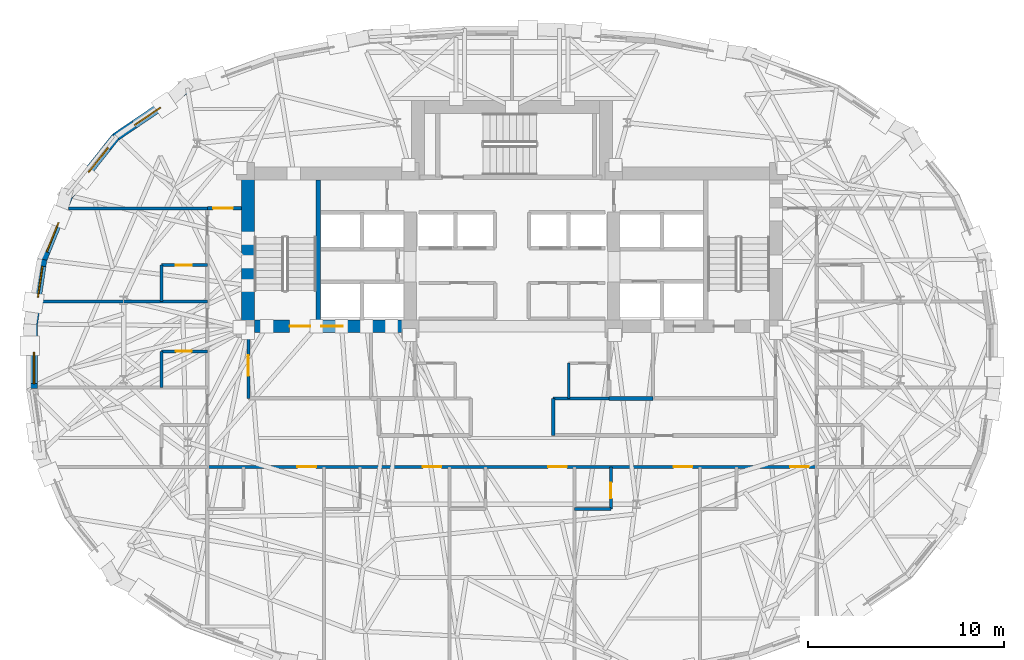
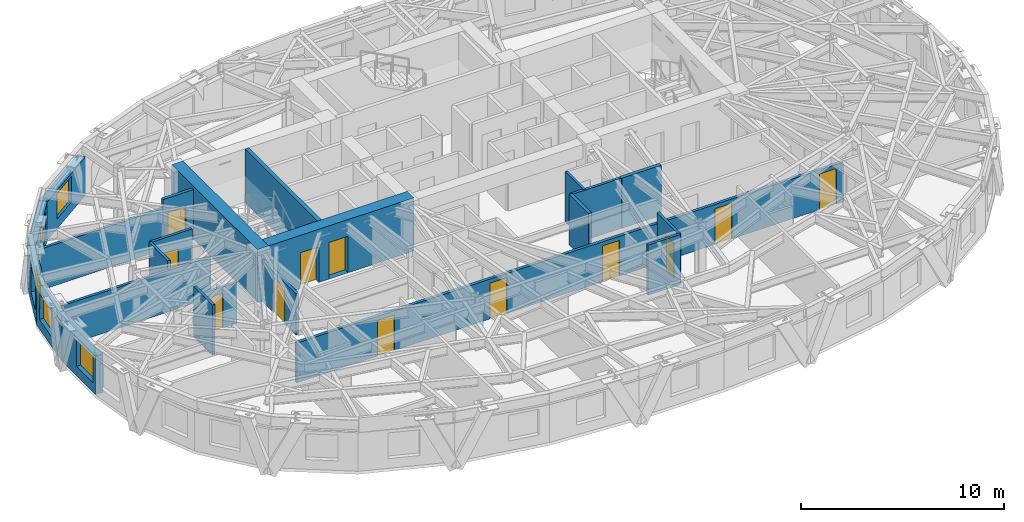
# One storey, part 7 of 15: 23 walls, 12 doors, 5 windows, 17 openings.
"""IFC4 building model written with IfcOpenShell, lengths in metres."""

import ifcopenshell
import ifcopenshell.guid

model = None  # the IFC model being written
_history = None  # IfcOwnerHistory: only IFC2X3 demands one
_inside = {}  # id of a spatial element -> (the spatial element, [elements in it])
_under = {}  # id of a project, library or spatial element -> (it, [spatial elements below it])
_declared = {}  # id of a project -> (the project, [libraries it declares])
_typed = {}  # id of a type object -> (the type object, [elements of that type])
_made_of = {}  # id of a material, layer set ... -> (it, [elements and type objects made of it])


def new_model(schema):
    """Start an empty IFC model of exactly this schema.

    Asked for "IFC4X3", IfcOpenShell would pick the latest addendum, in which some entities
    have other attributes; the version numbers below select the first issue.
    IFC2X3 requires an IfcOwnerHistory on every rooted entity: one is made here for all.
    """
    global model, _history
    if schema == "IFC4X3":
        model = ifcopenshell.file(schema_version=(4, 3, 0, 0))
    else:
        model = ifcopenshell.file(schema=schema)
    _inside.clear()
    _under.clear()
    _declared.clear()
    _typed.clear()
    _made_of.clear()
    _history = None
    if model.schema == "IFC2X3":
        org = make("IfcOrganization", Name="unknown")
        user = make(
            "IfcPersonAndOrganization",
            ThePerson=make("IfcPerson", FamilyName="unknown"),
            TheOrganization=org,
        )
        app = make(
            "IfcApplication",
            ApplicationDeveloper=org,
            Version="unknown",
            ApplicationFullName="unknown",
            ApplicationIdentifier="unknown",
        )
        _history = make(
            "IfcOwnerHistory",
            OwningUser=user,
            OwningApplication=app,
            ChangeAction="ADDED",
            CreationDate=0,
        )
    return model


def make(cls, **values):
    """One entity of the class cls with the attributes given. An attribute that is None is left unset."""
    return model.create_entity(
        cls, **{name: value for name, value in values.items() if value is not None}
    )


def rooted(cls, **values):
    """An entity with a GlobalId (a new one), such as an element, a storey or a relation."""
    return make(cls, GlobalId=ifcopenshell.guid.new(), OwnerHistory=_history, **values)


def si_unit(unit_type, name, prefix=None):
    """IfcSIUnit, for example si_unit("LENGTHUNIT", "METRE", prefix="MILLI")."""
    return make("IfcSIUnit", UnitType=unit_type, Prefix=prefix, Name=name)


def assignment(units):
    """IfcUnitAssignment: the units of a project."""
    return None if units is None else make("IfcUnitAssignment", Units=units)


def point(xyz):
    """IfcCartesianPoint."""
    return None if xyz is None else make("IfcCartesianPoint", Coordinates=xyz)


def direction(xyz):
    """IfcDirection."""
    return None if xyz is None else make("IfcDirection", DirectionRatios=xyz)


def frame(location, z_axis=None, x_axis=None):
    """IfcAxis2Placement3D, a coordinate frame: its origin and axes. An axis left out is left unset."""
    return make(
        "IfcAxis2Placement3D",
        Location=point(location),
        Axis=direction(z_axis),
        RefDirection=direction(x_axis),
    )


def frame_2d(location, x_axis=None):
    """IfcAxis2Placement2D, a coordinate frame in the plane: its origin and x axis."""
    return make(
        "IfcAxis2Placement2D", Location=point(location), RefDirection=direction(x_axis)
    )


def origin():
    """The frame at (0, 0, 0) with its axes left unset."""
    return frame((0.0, 0.0, 0.0))


def place(relative_to, where):
    """IfcLocalPlacement: puts the frame where relative to a parent placement (None: the world)."""
    return make(
        "IfcLocalPlacement", PlacementRelTo=relative_to, RelativePlacement=where
    )


def context(
    kind, dimensions, precision=None, world=None, true_north=None, identifier=None
):
    """IfcGeometricRepresentationContext, for example the 3D "Model" context."""
    return make(
        "IfcGeometricRepresentationContext",
        ContextIdentifier=identifier,
        ContextType=kind,
        CoordinateSpaceDimension=dimensions,
        Precision=precision,
        WorldCoordinateSystem=world,
        TrueNorth=true_north,
    )


def subcontext(parent, identifier, kind, view, scale=None):
    """IfcGeometricRepresentationSubContext, for example "Body" below "Model"."""
    return make(
        "IfcGeometricRepresentationSubContext",
        ContextIdentifier=identifier,
        ContextType=kind,
        ParentContext=parent,
        TargetScale=scale,
        TargetView=view,
    )


def project(units=None, contexts=None):
    """IfcProject with its units and contexts."""
    return rooted(
        "IfcProject",
        Name="project",
        RepresentationContexts=contexts,
        UnitsInContext=assignment(units),
    )


def spatial(cls, under=None, at=None, **own):
    """A site, building, storey or space (cls), placed at a placement, below another one or the project."""
    s = rooted(cls, ObjectPlacement=at, **own)
    if under is not None:
        _under.setdefault(under.id(), (under, []))[1].append(s)
    return s


def profile(cls, at=None, kind="AREA", **sizes):
    """A parametric profile (cls). Its sizes go by their IFC names, for example OverallWidth=200.0."""
    return make(cls, ProfileType=kind, Position=at, **sizes)


def rectangle(**sizes):
    """IfcRectangleProfileDef."""
    return profile("IfcRectangleProfileDef", **sizes)


def extrude(swept, where, along, depth):
    """IfcExtrudedAreaSolid: the profile swept, set in the frame where, extruded along a direction by depth."""
    return make(
        "IfcExtrudedAreaSolid",
        SweptArea=swept,
        Position=where,
        ExtrudedDirection=direction(along),
        Depth=depth,
    )


def shape(context_of_items, identifier, shape_type, items):
    """IfcShapeRepresentation: the items that make up one representation, for example the "Body"."""
    return make(
        "IfcShapeRepresentation",
        ContextOfItems=context_of_items,
        RepresentationIdentifier=identifier,
        RepresentationType=shape_type,
        Items=items,
    )


def material(Name=None, Category=None):
    """IfcMaterial."""
    return make("IfcMaterial", Name=Name, Category=Category)


def layer(
    of_material, thickness, ventilated=None, Name=None, Category=None, Priority=None
):
    """IfcMaterialLayer: one layer of a wall or slab, of a material (None: an air gap)."""
    return make(
        "IfcMaterialLayer",
        Material=of_material,
        LayerThickness=thickness,
        IsVentilated=ventilated,
        Name=Name,
        Category=Category,
        Priority=Priority,
    )


def layer_set(layers, Name=None):
    """IfcMaterialLayerSet."""
    return make("IfcMaterialLayerSet", MaterialLayers=layers, LayerSetName=Name)


def made_of(thing, what):
    """Note that an element or type object is made of a material, layer set ...; save() writes the relation."""
    if what is not None:
        _made_of.setdefault(what.id(), (what, []))[1].append(thing)
    return thing


def type_object(cls, material=None, **own):
    """A type object (cls), such as IfcWallType, which elements share."""
    return made_of(rooted(cls, **own), material)


def element(
    cls,
    number,
    at=None,
    inside=None,
    cuts=None,
    type_object=None,
    material=None,
    context=None,
    identifier="Body",
    shape_type=None,
    held_by="IfcProductDefinitionShape",
    body=None,
    shapes=None,
    **own,
):
    """One element of the class cls, such as IfcWall. Its Tag is "e" and its number.

    at: its placement. inside: the storey or other place that contains it. cuts: it is an
    opening in that element (IfcRelVoidsElement). A single representation is given by context,
    identifier, shape_type and body (its items); several are given by shapes. held_by: the class
    of the entity that holds the representations. save() writes the other relations.
    """
    e = rooted(cls, Tag="e%d" % number, ObjectPlacement=at, **own)
    if body is not None:
        shapes = [shape(context, identifier, shape_type, body)]
    if shapes is not None:
        e.Representation = make(held_by, Representations=shapes)
    if inside is not None:
        _inside.setdefault(inside.id(), (inside, []))[1].append(e)
    if cuts is not None:
        rooted(
            "IfcRelVoidsElement", RelatingBuildingElement=cuts, RelatedOpeningElement=e
        )
    if type_object is not None:
        _typed.setdefault(type_object.id(), (type_object, []))[1].append(e)
    return made_of(e, material)


def fill(opening, filler):
    """IfcRelFillsElement: the door or window that sits in an opening."""
    return rooted(
        "IfcRelFillsElement",
        RelatingOpeningElement=opening,
        RelatedBuildingElement=filler,
    )


def aggregate(whole, parts):
    """IfcRelAggregates: a whole, such as a stair, and the parts it consists of."""
    return rooted("IfcRelAggregates", RelatingObject=whole, RelatedObjects=parts)


def save(model, path):
    """Write the relations noted so far, then the file.

    IfcRelAggregates (storeys below a building ...), IfcRelContainedInSpatialStructure (elements
    in a storey), IfcRelDefinesByType, IfcRelAssociatesMaterial and IfcRelDeclares: one each for
    every whole, place, type object, material and project.
    """
    for whole, parts in _under.values():
        aggregate(whole, parts)
    for where, things in _inside.values():
        rooted(
            "IfcRelContainedInSpatialStructure",
            RelatedElements=things,
            RelatingStructure=where,
        )
    for kind, things in _typed.values():
        rooted("IfcRelDefinesByType", RelatedObjects=things, RelatingType=kind)
    for what, things in _made_of.values():
        rooted("IfcRelAssociatesMaterial", RelatedObjects=things, RelatingMaterial=what)
    for by, libraries in _declared.values():
        rooted("IfcRelDeclares", RelatingContext=by, RelatedDefinitions=libraries)
    model.write(path)


model = new_model("IFC4")

# Units and contexts
model_context = context("Model", 3, precision=1e-05, world=origin(), true_north=direction((0.0, 1.0)))
body_context = subcontext(model_context, "Body", "Model", "MODEL_VIEW")
ifc_project = project(units=[si_unit("LENGTHUNIT", "METRE"), si_unit("AREAUNIT", "SQUARE_METRE"), si_unit("VOLUMEUNIT", "CUBIC_METRE"), si_unit("PLANEANGLEUNIT", "RADIAN"), si_unit("MASSUNIT", "GRAM", prefix="KILO")], contexts=[model_context])

# Site, building, storey
site_placement = place(None, origin())
site = spatial("IfcSite", under=ifc_project, at=site_placement, CompositionType="ELEMENT")
building_placement = place(site_placement, origin())
building = spatial("IfcBuilding", under=site, at=building_placement, Name="Keldmark Tower", CompositionType="ELEMENT")
storey_placement = place(building_placement, frame((0.0, 0.0, 147.0)))
storey = spatial("IfcBuildingStorey", under=building, at=storey_placement, Name="L39", CompositionType="ELEMENT", Elevation=147.0)

# Walls
ifc_material_1 = material(Name="Heavy Acoustic Plumbing Chase Gypsum Assembly", Category="gypsum")
ifc_layer_1 = layer(ifc_material_1, 0.18994140625)
ifc_layer_set_1 = layer_set([ifc_layer_1], Name="Heavy Acoustic Plumbing Chase Gypsum Assembly")
wall_type_1 = type_object("IfcWallType", Name="Heavy Wet Wall 190 mm", PredefinedType="PLUMBINGWALL", material=ifc_layer_set_1)
wall_1_placement = place(storey_placement, frame((2.10009765625, -4.050048828125, 0.0), z_axis=(0.0, 0.0, 1.0), x_axis=(0.0, 1.0, 0.0)))
element("IfcWall", 1, at=wall_1_placement, inside=storey, type_object=wall_type_1, Name="L39 Heavy Wet Wall 190 mm SPK-E-W", PredefinedType="PLUMBINGWALL", context=body_context, shape_type="SweptSolid", body=[
    extrude(rectangle(XDim=1.900146484375, YDim=0.18994140625, at=frame_2d((0.9501953125, 0.0))), origin(), (0.0, 0.0, 1.0), 3.02001953125),
])
ifc_material_2 = material(Name="Acoustic Gypsum Board Interior Partition", Category="gypsum")
ifc_layer_2 = layer(ifc_material_2, 0.1298828125)
ifc_layer_set_2 = layer_set([ifc_layer_2], Name="Acoustic Gypsum Board Interior Partition")
wall_type_2 = type_object("IfcWallType", Name="Interior Partition 130 mm", PredefinedType="PARTITIONING", material=ifc_layer_set_2)
wall_2_placement = place(storey_placement, frame((2.889892578125, -2.14990234375, 0.0), z_axis=(0.0, 0.0, 1.0), x_axis=(0.0, 1.0, 0.0)))
element("IfcWall", 2, at=wall_2_placement, inside=storey, type_object=wall_type_2, Name="L39 Interior Partition 130 mm CSC-E-W", PredefinedType="PARTITIONING", context=body_context, shape_type="SweptSolid", body=[
    extrude(rectangle(XDim=1.7998046875, YDim=0.1298828125, at=frame_2d((0.89990234375, 0.0))), origin(), (0.0, 0.0, 1.0), 3.02001953125),
])

# Wall, opening, door
ifc_material_3 = material(Name="Type X Fire-Rated Gypsum Partition Assembly", Category="gypsum")
ifc_layer_3 = layer(ifc_material_3, 0.1650390625)
ifc_layer_set_3 = layer_set([ifc_layer_3], Name="Type X Fire-Rated Gypsum Partition Assembly")
wall_type_3 = type_object("IfcWallType", Name="Rated Partition 165 mm", PredefinedType="PARTITIONING", material=ifc_layer_set_3)
wall_3_placement = place(storey_placement, frame((-13.449951171875, -2.14990234375, 0.0), z_axis=(0.0, 0.0, 1.0), x_axis=(0.0, 1.0, 0.0)))
wall_3 = element("IfcWall", 3, at=wall_3_placement, inside=storey, type_object=wall_type_3, Name="L39 Rated Partition 165 mm FSAE-W-W", PredefinedType="PARTITIONING", context=body_context, shape_type="SweptSolid", body=[
    extrude(rectangle(XDim=3.39990234375, YDim=0.1650390625, at=frame_2d((1.699951171875, 0.0))), origin(), (0.0, 0.0, 1.0), 2.472900390625),
])
opening_1_placement = place(wall_3_placement, frame((1.14990234375, 0.0, 0.0)))
opening_1 = element("IfcOpeningElement", 4, at=opening_1_placement, cuts=wall_3, Name="Opening D-FL105", PredefinedType="OPENING", context=body_context, shape_type="SweptSolid", body=[
    extrude(rectangle(XDim=1.050048828125, YDim=2.14990234375, at=frame_2d((0.52490234375, 1.074951171875))), frame((0.0, 0.092529296875, 0.0), z_axis=(0.0, -1.0, 0.0), x_axis=(1.0, 0.0, 0.0)), (0.0, 0.0, 1.0), 0.18505859375),
])
ifc_material_4 = material(Name="Fire-Rated Mineral-Core Door and Vision Lite", Category="metal")
door_type_1 = type_object("IfcDoorType", Name="Fire Lobby Door 1050x2150", OperationType="NOTDEFINED", PredefinedType="DOOR", material=ifc_material_4)
door_1_placement = place(opening_1_placement, origin())
door_1 = element("IfcDoor", 5, at=door_1_placement, inside=storey, type_object=door_type_1, Name="L39 Fire Lobby Door 1050x2150 D-FSAEW-OUT-L39", OperationType="SINGLE_SWING_LEFT", OverallHeight=2.14990234375, OverallWidth=1.050048828125, PredefinedType="DOOR", context=body_context, shape_type="SweptSolid", body=[
    extrude(rectangle(XDim=1.050048828125, YDim=2.14990234375, at=frame_2d((0.52490234375, 1.074951171875))), frame((0.0, 0.02490234375, 0.0), z_axis=(0.0, -1.0, 0.0), x_axis=(1.0, 0.0, 0.0)), (0.0, 0.0, 1.0), 0.050048828125),
])
fill(opening_1, door_1)

# Wall, openings, doors
wall_4_placement = place(storey_placement, frame((-15.550048828125, -5.64990234375, 0.0), z_axis=(0.0, 0.0, 1.0), x_axis=(1.0, 0.0, 0.0)))
wall_4 = element("IfcWall", 6, at=wall_4_placement, inside=storey, type_object=wall_type_3, Name="L39 Rated Partition 165 mm HCOR-S", PredefinedType="PARTITIONING", context=body_context, shape_type="SweptSolid", body=[
    extrude(rectangle(XDim=31.10009765625, YDim=0.1650390625, at=frame_2d((15.550048828125, 0.0))), origin(), (0.0, 0.0, 1.0), 2.39794921875),
])
opening_2_placement = place(wall_4_placement, frame((4.60009765625, 0.0, 0.0)))
opening_2 = element("IfcOpeningElement", 7, at=opening_2_placement, cuts=wall_4, Name="Opening D-HT095", PredefinedType="OPENING", context=body_context, shape_type="SweptSolid", body=[
    extrude(rectangle(XDim=0.949951171875, YDim=2.14990234375, at=frame_2d((0.47509765625, 1.074951171875))), frame((0.0, 0.092529296875, 0.0), z_axis=(0.0, -1.0, 0.0), x_axis=(1.0, 0.0, 0.0)), (0.0, 0.0, 1.0), 0.18505859375),
])
opening_3_placement = place(wall_4_placement, frame((11.0, 0.0, 0.0)))
opening_3 = element("IfcOpeningElement", 8, at=opening_3_placement, cuts=wall_4, Name="Opening D-HT095", PredefinedType="OPENING", context=body_context, shape_type="SweptSolid", body=[
    extrude(rectangle(XDim=0.949951171875, YDim=2.14990234375, at=frame_2d((0.47509765625, 1.074951171875))), frame((0.0, 0.092529296875, 0.0), z_axis=(0.0, -1.0, 0.0), x_axis=(1.0, 0.0, 0.0)), (0.0, 0.0, 1.0), 0.18505859375),
])
opening_4_placement = place(wall_4_placement, frame((17.39990234375, 0.0, 0.0)))
opening_4 = element("IfcOpeningElement", 9, at=opening_4_placement, cuts=wall_4, Name="Opening D-HT095", PredefinedType="OPENING", context=body_context, shape_type="SweptSolid", body=[
    extrude(rectangle(XDim=0.949951171875, YDim=2.14990234375, at=frame_2d((0.47509765625, 1.074951171875))), frame((0.0, 0.092529296875, 0.0), z_axis=(0.0, -1.0, 0.0), x_axis=(1.0, 0.0, 0.0)), (0.0, 0.0, 1.0), 0.18505859375),
])
opening_5_placement = place(wall_4_placement, frame((23.800048828125, 0.0, 0.0)))
opening_5 = element("IfcOpeningElement", 10, at=opening_5_placement, cuts=wall_4, Name="Opening D-HT095", PredefinedType="OPENING", context=body_context, shape_type="SweptSolid", body=[
    extrude(rectangle(XDim=0.949951171875, YDim=2.14990234375, at=frame_2d((0.47509765625, 1.074951171875))), frame((0.0, 0.092529296875, 0.0), z_axis=(0.0, -1.0, 0.0), x_axis=(1.0, 0.0, 0.0)), (0.0, 0.0, 1.0), 0.18505859375),
])
opening_6_placement = place(wall_4_placement, frame((29.75, 0.0, 0.0)))
opening_6 = element("IfcOpeningElement", 11, at=opening_6_placement, cuts=wall_4, Name="Opening D-HT095", PredefinedType="OPENING", context=body_context, shape_type="SweptSolid", body=[
    extrude(rectangle(XDim=0.949951171875, YDim=2.14990234375, at=frame_2d((0.47509765625, 1.074951171875))), frame((0.0, 0.092529296875, 0.0), z_axis=(0.0, -1.0, 0.0), x_axis=(1.0, 0.0, 0.0)), (0.0, 0.0, 1.0), 0.18505859375),
])
ifc_material_5 = material(Name="Solid-Core Acoustic White Oak Fire-Rated Assembly", Category="wood")
door_type_2 = type_object("IfcDoorType", Name="Hotel Entry Door 950x2150", OperationType="NOTDEFINED", PredefinedType="DOOR", material=ifc_material_5)
door_2_placement = place(opening_2_placement, origin())
door_2 = element("IfcDoor", 12, at=door_2_placement, inside=storey, type_object=door_type_2, Name="L39 Hotel Entry Door 950x2150 D-HRS1-L39", OperationType="SINGLE_SWING_RIGHT", OverallHeight=2.14990234375, OverallWidth=0.949951171875, PredefinedType="DOOR", context=body_context, shape_type="SweptSolid", body=[
    extrude(rectangle(XDim=0.949951171875, YDim=2.14990234375, at=frame_2d((0.47509765625, 1.074951171875))), frame((0.0, 0.02490234375, 0.0), z_axis=(0.0, -1.0, 0.0), x_axis=(1.0, 0.0, 0.0)), (0.0, 0.0, 1.0), 0.050048828125),
])
fill(opening_2, door_2)
door_3_placement = place(opening_3_placement, origin())
door_3 = element("IfcDoor", 13, at=door_3_placement, inside=storey, type_object=door_type_2, Name="L39 Hotel Entry Door 950x2150 D-HRS2-L39", OperationType="SINGLE_SWING_LEFT", OverallHeight=2.14990234375, OverallWidth=0.949951171875, PredefinedType="DOOR", context=body_context, shape_type="SweptSolid", body=[
    extrude(rectangle(XDim=0.949951171875, YDim=2.14990234375, at=frame_2d((0.47509765625, 1.074951171875))), frame((0.0, 0.02490234375, 0.0), z_axis=(0.0, -1.0, 0.0), x_axis=(1.0, 0.0, 0.0)), (0.0, 0.0, 1.0), 0.050048828125),
])
fill(opening_3, door_3)
door_4_placement = place(opening_4_placement, origin())
door_4 = element("IfcDoor", 14, at=door_4_placement, inside=storey, type_object=door_type_2, Name="L39 Hotel Entry Door 950x2150 D-HRS3-L39", OperationType="SINGLE_SWING_RIGHT", OverallHeight=2.14990234375, OverallWidth=0.949951171875, PredefinedType="DOOR", context=body_context, shape_type="SweptSolid", body=[
    extrude(rectangle(XDim=0.949951171875, YDim=2.14990234375, at=frame_2d((0.47509765625, 1.074951171875))), frame((0.0, 0.02490234375, 0.0), z_axis=(0.0, -1.0, 0.0), x_axis=(1.0, 0.0, 0.0)), (0.0, 0.0, 1.0), 0.050048828125),
])
fill(opening_4, door_4)
door_5_placement = place(opening_5_placement, origin())
door_5 = element("IfcDoor", 15, at=door_5_placement, inside=storey, type_object=door_type_2, Name="L39 Hotel Entry Door 950x2150 D-HRS4-L39", OperationType="SINGLE_SWING_LEFT", OverallHeight=2.14990234375, OverallWidth=0.949951171875, PredefinedType="DOOR", context=body_context, shape_type="SweptSolid", body=[
    extrude(rectangle(XDim=0.949951171875, YDim=2.14990234375, at=frame_2d((0.47509765625, 1.074951171875))), frame((0.0, 0.02490234375, 0.0), z_axis=(0.0, -1.0, 0.0), x_axis=(1.0, 0.0, 0.0)), (0.0, 0.0, 1.0), 0.050048828125),
])
fill(opening_5, door_5)
door_6_placement = place(opening_6_placement, origin())
door_6 = element("IfcDoor", 16, at=door_6_placement, inside=storey, type_object=door_type_2, Name="L39 Hotel Entry Door 950x2150 D-HRS5-L39", OperationType="SINGLE_SWING_RIGHT", OverallHeight=2.14990234375, OverallWidth=0.949951171875, PredefinedType="DOOR", context=body_context, shape_type="SweptSolid", body=[
    extrude(rectangle(XDim=0.949951171875, YDim=2.14990234375, at=frame_2d((0.47509765625, 1.074951171875))), frame((0.0, 0.02490234375, 0.0), z_axis=(0.0, -1.0, 0.0), x_axis=(1.0, 0.0, 0.0)), (0.0, 0.0, 1.0), 0.050048828125),
])
fill(opening_6, door_6)

# Wall, opening, door
wall_5_placement = place(storey_placement, frame((-15.550048828125, 7.550048828125, 0.0), z_axis=(0.0, 0.0, 1.0), x_axis=(1.0, 0.0, 0.0)))
wall_5 = element("IfcWall", 17, at=wall_5_placement, inside=storey, type_object=wall_type_3, Name="L39 Rated Partition 165 mm HCOR-WN", PredefinedType="PARTITIONING", context=body_context, shape_type="SweptSolid", body=[
    extrude(rectangle(XDim=1.75, YDim=0.1650390625, at=frame_2d((0.875, 0.0))), origin(), (0.0, 0.0, 1.0), 3.02001953125),
])
opening_7_placement = place(wall_5_placement, frame((0.300048828125, 0.0, 0.0)))
opening_7 = element("IfcOpeningElement", 18, at=opening_7_placement, cuts=wall_5, Name="Opening D-FD100", PredefinedType="OPENING", context=body_context, shape_type="SweptSolid", body=[
    extrude(rectangle(XDim=1.0, YDim=2.14990234375, at=frame_2d((0.5, 1.074951171875))), frame((0.0, 0.092529296875, 0.0), z_axis=(0.0, -1.0, 0.0), x_axis=(1.0, 0.0, 0.0)), (0.0, 0.0, 1.0), 0.18505859375),
])
ifc_material_6 = material(Name="Hollow Metal Fire-Rated Corridor Door", Category="metal")
door_type_3 = type_object("IfcDoorType", Name="Fire Door 1000x2150", OperationType="NOTDEFINED", PredefinedType="DOOR", material=ifc_material_6)
door_7_placement = place(opening_7_placement, origin())
door_7 = element("IfcDoor", 19, at=door_7_placement, inside=storey, type_object=door_type_3, Name="L39 Fire Door 1000x2150 D-HNNW-L39", OperationType="SINGLE_SWING_LEFT", OverallHeight=2.14990234375, OverallWidth=1.0, PredefinedType="DOOR", context=body_context, shape_type="SweptSolid", body=[
    extrude(rectangle(XDim=1.0, YDim=2.14990234375, at=frame_2d((0.5, 1.074951171875))), frame((0.0, 0.02490234375, 0.0), z_axis=(0.0, -1.0, 0.0), x_axis=(1.0, 0.0, 0.0)), (0.0, 0.0, 1.0), 0.050048828125),
])
fill(opening_7, door_7)

# Walls
ifc_material_7 = material(Name="Fire-Resistant Type X Gypsum Shaftliner Coreboard", Category="gypsum")
ifc_layer_4 = layer(ifc_material_7, 0.199951171875)
ifc_layer_set_4 = layer_set([ifc_layer_4], Name="Fire-Resistant Type X Gypsum Shaftliner Coreboard")
wall_type_4 = type_object("IfcWallType", Name="Shaft Wall 200 mm", PredefinedType="SOLIDWALL", material=ifc_layer_set_4)
wall_6_placement = place(storey_placement, frame((4.949951171875, -2.14990234375, 0.0), z_axis=(0.0, 0.0, 1.0), x_axis=(1.0, 0.0, 0.0)))
element("IfcWall", 20, at=wall_6_placement, inside=storey, type_object=wall_type_4, Name="L39 Shaft Wall 200 mm RIS-SE-S", PredefinedType="SOLIDWALL", context=body_context, shape_type="SweptSolid", body=[
    extrude(rectangle(XDim=2.25, YDim=0.199951171875, at=frame_2d((1.125, 0.0))), origin(), (0.0, 0.0, 1.0), 3.02001953125),
])
ifc_material_8 = material(Name="Concrete C50/60", Category="concrete")
ifc_layer_5 = layer(ifc_material_8, 0.219970703125)
ifc_layer_set_5 = layer_set([ifc_layer_5], Name="Concrete C50/60")
wall_type_5 = type_object("IfcWallType", Name="Stair Core Shear Wall 220 mm", PredefinedType="SHEAR", material=ifc_layer_set_5)
wall_7_placement = place(storey_placement, frame((-9.889892578125, 1.85009765625, 0.0), z_axis=(0.0, 0.0, 1.0), x_axis=(0.0, 1.0, 0.0)))
element("IfcWall", 21, at=wall_7_placement, inside=storey, type_object=wall_type_5, Name="L39 West Stair Core Shear Wall", PredefinedType="SHEAR", context=body_context, shape_type="SweptSolid", body=[
    extrude(rectangle(XDim=7.14990234375, YDim=0.219970703125, at=frame_2d((3.574951171875, 0.0))), origin(), (0.0, 0.0, 1.0), 3.199951171875),
])

# Wall, opening, window
ifc_material_9 = material(Name="Ironspot Manganese Brick and Kasota Buff Limestone Spandrel Assembly", Category="masonry")
ifc_layer_6 = layer(ifc_material_9, 0.43994140625)
ifc_layer_set_6 = layer_set([ifc_layer_6], Name="Ironspot Manganese Brick and Kasota Buff Limestone Spandrel Assembly")
wall_type_6 = type_object("IfcWallType", Name="Tower Brick Pier and Spandrel Wall 440 mm", PredefinedType="STANDARD", material=ifc_layer_set_6)
wall_8_placement = place(storey_placement, frame((-20.2685546875, 11.16162109375, 0.0), z_axis=(0.0, 0.0, 1.0), x_axis=(0.827774624611, 0.561060755044, 0.0)))
wall_8 = element("IfcWall", 22, at=wall_8_placement, inside=storey, type_object=wall_type_6, Name="L39 Exterior Brick and Spandrel Wall 12", PredefinedType="STANDARD", context=body_context, shape_type="SweptSolid", body=[
    extrude(rectangle(XDim=4.41748046875, YDim=0.43994140625, at=frame_2d((2.208740234375, 0.0))), origin(), (0.0, 0.0, 1.0), 2.31494140625),
])
opening_8_placement = place(wall_8_placement, frame((1.186767578125, 0.0, 0.580078125)))
opening_8 = element("IfcOpeningElement", 23, at=opening_8_placement, cuts=wall_8, Name="Opening W-04", PredefinedType="OPENING", context=body_context, shape_type="SweptSolid", body=[
    extrude(rectangle(XDim=1.60009765625, YDim=1.550048828125, at=frame_2d((0.800048828125, 0.77490234375))), frame((0.0, 0.22998046875, 0.0), z_axis=(0.0, -1.0, 0.0), x_axis=(1.0, 0.0, 0.0)), (0.0, 0.0, 1.0), 0.4599609375),
])
ifc_material_10 = material(Name="Thermally Broken Anodized Aluminum and Triple Low-E Argon Glazing", Category="aluminium")
window_type = type_object("IfcWindowType", Name="Hotel Deep-Set Operable Window 1600x1550", PartitioningType="DOUBLE_PANEL_HORIZONTAL", PredefinedType="WINDOW", material=ifc_material_10)
window_1_placement = place(opening_8_placement, origin())
window_1 = element("IfcWindow", 24, at=window_1_placement, inside=storey, type_object=window_type, Name="L39 Deep-Set Window 12", OverallHeight=1.550048828125, OverallWidth=1.60009765625, PartitioningType="SINGLE_PANEL", PredefinedType="WINDOW", context=body_context, shape_type="SweptSolid", body=[
    extrude(rectangle(XDim=1.60009765625, YDim=1.550048828125, at=frame_2d((0.800048828125, 0.77490234375))), frame((0.0, -0.010009765625, 0.0), z_axis=(0.0, -1.0, 0.0), x_axis=(1.0, 0.0, 0.0)), (0.0, 0.0, 1.0), 0.06005859375),
])
fill(opening_8, window_1)

wall_9_placement = place(storey_placement, frame((-22.660400390625, 8.135498046875, 0.0), z_axis=(0.0, 0.0, 1.0), x_axis=(0.622149266174, 0.782898646441, 0.0)))
wall_9 = element("IfcWall", 25, at=wall_9_placement, inside=storey, type_object=wall_type_6, Name="L39 Exterior Brick and Spandrel Wall 13", PredefinedType="STANDARD", context=body_context, shape_type="SweptSolid", body=[
    extrude(rectangle(XDim=3.9228515625, YDim=0.43994140625, at=frame_2d((1.96142578125, 0.0))), origin(), (0.0, 0.0, 1.0), 2.31494140625),
])
opening_9_placement = place(wall_9_placement, frame((1.6298828125, 0.0, 0.580078125)))
opening_9 = element("IfcOpeningElement", 26, at=opening_9_placement, cuts=wall_9, Name="Opening W-04", PredefinedType="OPENING", context=body_context, shape_type="SweptSolid", body=[
    extrude(rectangle(XDim=1.60009765625, YDim=1.550048828125, at=frame_2d((0.800048828125, 0.77490234375))), frame((0.0, 0.22998046875, 0.0), z_axis=(0.0, -1.0, 0.0), x_axis=(1.0, 0.0, 0.0)), (0.0, 0.0, 1.0), 0.4599609375),
])
window_2_placement = place(opening_9_placement, origin())
window_2 = element("IfcWindow", 27, at=window_2_placement, inside=storey, type_object=window_type, Name="L39 Deep-Set Window 13", OverallHeight=1.550048828125, OverallWidth=1.60009765625, PartitioningType="SINGLE_PANEL", PredefinedType="WINDOW", context=body_context, shape_type="SweptSolid", body=[
    extrude(rectangle(XDim=1.60009765625, YDim=1.550048828125, at=frame_2d((0.800048828125, 0.77490234375))), frame((0.0, -0.010009765625, 0.0), z_axis=(0.0, -1.0, 0.0), x_axis=(1.0, 0.0, 0.0)), (0.0, 0.0, 1.0), 0.06005859375),
])
fill(opening_9, window_2)

wall_10_placement = place(storey_placement, frame((-23.971923828125, 4.887939453125, 0.0), z_axis=(0.0, 0.0, 1.0), x_axis=(0.376863872061, 0.926268655378, 0.0)))
wall_10 = element("IfcWall", 28, at=wall_10_placement, inside=storey, type_object=wall_type_6, Name="L39 Exterior Brick and Spandrel Wall 14", PredefinedType="STANDARD", context=body_context, shape_type="SweptSolid", body=[
    extrude(rectangle(XDim=3.564208984375, YDim=0.43994140625, at=frame_2d((1.7822265625, 0.0))), origin(), (0.0, 0.0, 1.0), 2.31494140625),
])
opening_10_placement = place(wall_10_placement, frame((0.493408203125, 0.0, 0.580078125)))
opening_10 = element("IfcOpeningElement", 29, at=opening_10_placement, cuts=wall_10, Name="Opening W-04", PredefinedType="OPENING", context=body_context, shape_type="SweptSolid", body=[
    extrude(rectangle(XDim=1.60009765625, YDim=1.550048828125, at=frame_2d((0.800048828125, 0.77490234375))), frame((0.0, 0.22998046875, 0.0), z_axis=(0.0, -1.0, 0.0), x_axis=(1.0, 0.0, 0.0)), (0.0, 0.0, 1.0), 0.4599609375),
])
window_3_placement = place(opening_10_placement, origin())
window_3 = element("IfcWindow", 30, at=window_3_placement, inside=storey, type_object=window_type, Name="L39 Deep-Set Window 14", OverallHeight=1.550048828125, OverallWidth=1.60009765625, PartitioningType="SINGLE_PANEL", PredefinedType="WINDOW", context=body_context, shape_type="SweptSolid", body=[
    extrude(rectangle(XDim=1.60009765625, YDim=1.550048828125, at=frame_2d((0.800048828125, 0.77490234375))), frame((0.0, -0.010009765625, 0.0), z_axis=(0.0, -1.0, 0.0), x_axis=(1.0, 0.0, 0.0)), (0.0, 0.0, 1.0), 0.06005859375),
])
fill(opening_10, window_3)

wall_11_placement = place(storey_placement, frame((-24.43603515625, 1.614501953125, 0.0), z_axis=(0.0, 0.0, 1.0), x_axis=(0.142296299692, 0.989824107149, 0.0)))
wall_11 = element("IfcWall", 31, at=wall_11_placement, inside=storey, type_object=wall_type_6, Name="L39 Exterior Brick and Spandrel Wall 15", PredefinedType="STANDARD", context=body_context, shape_type="SweptSolid", body=[
    extrude(rectangle(XDim=3.359375, YDim=0.43994140625, at=frame_2d((1.6796875, 0.0))), origin(), (0.0, 0.0, 1.0), 2.31494140625),
])
opening_11_placement = place(wall_11_placement, frame((1.41357421875, 0.0, 0.580078125)))
opening_11 = element("IfcOpeningElement", 32, at=opening_11_placement, cuts=wall_11, Name="Opening W-04", PredefinedType="OPENING", context=body_context, shape_type="SweptSolid", body=[
    extrude(rectangle(XDim=1.60009765625, YDim=1.550048828125, at=frame_2d((0.800048828125, 0.77490234375))), frame((0.0, 0.22998046875, 0.0), z_axis=(0.0, -1.0, 0.0), x_axis=(1.0, 0.0, 0.0)), (0.0, 0.0, 1.0), 0.4599609375),
])
window_4_placement = place(opening_11_placement, origin())
window_4 = element("IfcWindow", 33, at=window_4_placement, inside=storey, type_object=window_type, Name="L39 Deep-Set Window 15", OverallHeight=1.550048828125, OverallWidth=1.60009765625, PartitioningType="SINGLE_PANEL", PredefinedType="WINDOW", context=body_context, shape_type="SweptSolid", body=[
    extrude(rectangle(XDim=1.60009765625, YDim=1.550048828125, at=frame_2d((0.800048828125, 0.77490234375))), frame((0.0, -0.010009765625, 0.0), z_axis=(0.0, -1.0, 0.0), x_axis=(1.0, 0.0, 0.0)), (0.0, 0.0, 1.0), 0.06005859375),
])
fill(opening_11, window_4)

wall_12_placement = place(storey_placement, frame((-24.433837890625, -1.64599609375, 0.0), z_axis=(0.0, 0.0, 1.0), x_axis=(0.0, 1.0, 0.0)))
wall_12 = element("IfcWall", 34, at=wall_12_placement, inside=storey, type_object=wall_type_6, Name="L39 Exterior Brick and Spandrel Wall 16", PredefinedType="STANDARD", context=body_context, shape_type="SweptSolid", body=[
    extrude(rectangle(XDim=3.2919921875, YDim=0.43994140625, at=frame_2d((1.64599609375, 0.0))), origin(), (0.0, 0.0, 1.0), 2.31494140625),
])
opening_12_placement = place(wall_12_placement, frame((0.249755859375, 0.0, 0.580078125)))
opening_12 = element("IfcOpeningElement", 35, at=opening_12_placement, cuts=wall_12, Name="Opening W-04", PredefinedType="OPENING", context=body_context, shape_type="SweptSolid", body=[
    extrude(rectangle(XDim=1.60009765625, YDim=1.550048828125, at=frame_2d((0.800048828125, 0.77490234375))), frame((0.0, 0.22998046875, 0.0), z_axis=(0.0, -1.0, 0.0), x_axis=(1.0, 0.0, 0.0)), (0.0, 0.0, 1.0), 0.4599609375),
])
window_5_placement = place(opening_12_placement, origin())
window_5 = element("IfcWindow", 36, at=window_5_placement, inside=storey, type_object=window_type, Name="L39 Deep-Set Window 16", OverallHeight=1.550048828125, OverallWidth=1.60009765625, PartitioningType="SINGLE_PANEL", PredefinedType="WINDOW", context=body_context, shape_type="SweptSolid", body=[
    extrude(rectangle(XDim=1.60009765625, YDim=1.550048828125, at=frame_2d((0.800048828125, 0.77490234375))), frame((0.0, -0.010009765625, 0.0), z_axis=(0.0, -1.0, 0.0), x_axis=(1.0, 0.0, 0.0)), (0.0, 0.0, 1.0), 0.06005859375),
])
fill(opening_12, window_5)

# Wall
ifc_material_11 = material(Name="Concrete C50/60", Category="concrete")
ifc_layer_7 = layer(ifc_material_11, 0.64990234375)
ifc_layer_set_7 = layer_set([ifc_layer_7], Name="Concrete C50/60")
wall_type_7 = type_object("IfcWallType", Name="Upper-Mid Core Shear Wall 650 mm", PredefinedType="SHEAR", material=ifc_layer_set_7)
wall_13_placement = place(storey_placement, frame((-13.47509765625, 1.199951171875, 0.0), z_axis=(0.0, 0.0, 1.0), x_axis=(0.0, 1.0, 0.0)))
element("IfcWall", 37, at=wall_13_placement, inside=storey, type_object=wall_type_7, Name="L39 West Core Outer Shear Wall", PredefinedType="SHEAR", context=body_context, shape_type="SweptSolid", body=[
    extrude(rectangle(XDim=8.449951171875, YDim=0.64990234375, at=frame_2d((4.22509765625, 0.0))), origin(), (0.0, 0.0, 1.0), 3.199951171875),
])

# Wall, openings, doors
wall_14_placement = place(storey_placement, frame((-4.875, 1.52490234375, 0.0), z_axis=(0.0, 0.0, 1.0), x_axis=(-1.0, 0.0, 0.0)))
wall_14 = element("IfcWall", 38, at=wall_14_placement, inside=storey, type_object=wall_type_7, Name="L39 West Core South Shear Wall", PredefinedType="SHEAR", context=body_context, shape_type="SweptSolid", body=[
    extrude(rectangle(XDim=8.925048828125, YDim=0.64990234375, at=frame_2d((4.46240234375, 0.0))), origin(), (0.0, 0.0, 1.0), 3.199951171875),
])
opening_13_placement = place(wall_14_placement, frame((5.425048828125, 0.0, 0.0)))
opening_13 = element("IfcOpeningElement", 39, at=opening_13_placement, cuts=wall_14, Name="Opening D-ST105", PredefinedType="OPENING", context=body_context, shape_type="SweptSolid", body=[
    extrude(rectangle(XDim=1.050048828125, YDim=2.14990234375, at=frame_2d((0.52490234375, 1.074951171875))), frame((0.0, 0.3349609375, 0.0), z_axis=(0.0, -1.0, 0.0), x_axis=(1.0, 0.0, 0.0)), (0.0, 0.0, 1.0), 0.669921875),
])
opening_14_placement = place(wall_14_placement, frame((3.7548828125, 0.0, 0.0)))
opening_14 = element("IfcOpeningElement", 40, at=opening_14_placement, cuts=wall_14, Name="Opening LD-110", PredefinedType="OPENING", context=body_context, shape_type="SweptSolid", body=[
    extrude(rectangle(XDim=1.10009765625, YDim=2.199951171875, at=frame_2d((0.550048828125, 1.10009765625))), frame((0.0, 0.3349609375, 0.0), z_axis=(0.0, -1.0, 0.0), x_axis=(1.0, 0.0, 0.0)), (0.0, 0.0, 1.0), 0.669921875),
])
ifc_material_12 = material(Name="Brushed Bronze Hoistway Sliding Leaf", Category="metal")
door_type_4 = type_object("IfcDoorType", Name="Lift Landing Sliding Door 1100x2200", OperationType="SLIDING_TO_LEFT", PredefinedType="DOOR", material=ifc_material_12)
door_8_placement = place(opening_14_placement, origin())
door_8 = element("IfcDoor", 41, at=door_8_placement, inside=storey, type_object=door_type_4, Name="L39 Lift Landing Sliding Door 1100x2200 LD-EL-FS1-L39", OperationType="SLIDING_TO_LEFT", OverallHeight=2.199951171875, OverallWidth=1.10009765625, PredefinedType="DOOR", context=body_context, shape_type="SweptSolid", body=[
    extrude(rectangle(XDim=1.10009765625, YDim=2.199951171875, at=frame_2d((0.550048828125, 1.10009765625))), frame((0.0, 0.02490234375, 0.0), z_axis=(0.0, -1.0, 0.0), x_axis=(1.0, 0.0, 0.0)), (0.0, 0.0, 1.0), 0.050048828125),
])
fill(opening_14, door_8)
ifc_material_13 = material(Name="Hollow Metal Fire-Rated Door Assembly", Category="metal")
door_type_5 = type_object("IfcDoorType", Name="Stair Fire Door 1050x2150", OperationType="NOTDEFINED", PredefinedType="DOOR", material=ifc_material_13)
door_9_placement = place(opening_13_placement, origin())
door_9 = element("IfcDoor", 42, at=door_9_placement, inside=storey, type_object=door_type_5, Name="L39 Stair Fire Door 1050x2150 D-ST1-L39", OperationType="SINGLE_SWING_RIGHT", OverallHeight=2.14990234375, OverallWidth=1.050048828125, PredefinedType="DOOR", context=body_context, shape_type="SweptSolid", body=[
    extrude(rectangle(XDim=1.050048828125, YDim=2.14990234375, at=frame_2d((0.52490234375, 1.074951171875))), frame((0.0, 0.02490234375, 0.0), z_axis=(0.0, -1.0, 0.0), x_axis=(1.0, 0.0, 0.0)), (0.0, 0.0, 1.0), 0.050048828125),
])
fill(opening_13, door_9)

# Walls
ifc_material_14 = material(Name="Moisture-Resistant Gypsum Plumbing Partition", Category="gypsum")
ifc_layer_8 = layer(ifc_material_14, 0.14990234375)
ifc_layer_set_8 = layer_set([ifc_layer_8], Name="Moisture-Resistant Gypsum Plumbing Partition")
wall_type_8 = type_object("IfcWallType", Name="Wet Wall 150 mm", PredefinedType="PLUMBINGWALL", material=ifc_layer_set_8)
wall_15_placement = place(storey_placement, frame((2.10009765625, -2.14990234375, 0.0), z_axis=(0.0, 0.0, 1.0), x_axis=(1.0, 0.0, 0.0)))
element("IfcWall", 43, at=wall_15_placement, inside=storey, type_object=wall_type_8, Name="L39 Wet Wall 150 mm SPK-E-N", PredefinedType="PLUMBINGWALL", context=body_context, shape_type="SweptSolid", body=[
    extrude(rectangle(XDim=2.849853515625, YDim=0.14990234375, at=frame_2d((1.4248046875, 0.0))), origin(), (0.0, 0.0, 1.0), 3.02001953125),
])
wall_16_placement = place(storey_placement, frame((-22.642578125, 7.550048828125, 0.0), z_axis=(0.0, 0.0, 1.0), x_axis=(1.0, 0.0, 0.0)))
element("IfcWall", 44, at=wall_16_placement, inside=storey, type_object=wall_type_8, Name="L39 Wet Wall 150 mm HW-CAP-N", PredefinedType="PLUMBINGWALL", context=body_context, shape_type="SweptSolid", body=[
    extrude(rectangle(XDim=7.092529296875, YDim=0.14990234375, at=frame_2d((3.54638671875, 0.0))), origin(), (0.0, 0.0, 1.0), 2.472900390625),
])

# Wall, opening, door
wall_17_placement = place(storey_placement, frame((5.050048828125, -7.800048828125, 0.0), z_axis=(0.0, 0.0, 1.0), x_axis=(0.0, 1.0, 0.0)))
wall_17 = element("IfcWall", 45, at=wall_17_placement, inside=storey, type_object=wall_type_8, Name="L39 Wet Wall 150 mm HB-S4-E", PredefinedType="PLUMBINGWALL", context=body_context, shape_type="SweptSolid", body=[
    extrude(rectangle(XDim=2.150146484375, YDim=0.14990234375, at=frame_2d((1.0751953125, 0.0))), origin(), (0.0, 0.0, 1.0), 3.02001953125),
])
opening_15_placement = place(wall_17_placement, frame((0.550048828125, 0.0, 0.0)))
opening_15 = element("IfcOpeningElement", 46, at=opening_15_placement, cuts=wall_17, Name="Opening D-BT080", PredefinedType="OPENING", context=body_context, shape_type="SweptSolid", body=[
    extrude(rectangle(XDim=0.800048828125, YDim=2.10009765625, at=frame_2d((0.39990234375, 1.050048828125))), frame((0.0, 0.0849609375, 0.0), z_axis=(0.0, -1.0, 0.0), x_axis=(1.0, 0.0, 0.0)), (0.0, 0.0, 1.0), 0.169921875),
])
ifc_material_15 = material(Name="Moisture-Sealed Stained Wood", Category="wood")
door_type_6 = type_object("IfcDoorType", Name="Bathroom Door 800x2100", OperationType="NOTDEFINED", PredefinedType="DOOR", material=ifc_material_15)
door_10_placement = place(opening_15_placement, origin())
door_10 = element("IfcDoor", 47, at=door_10_placement, inside=storey, type_object=door_type_6, Name="L39 Bathroom Door 800x2100 D-HBS4-L39", OperationType="SINGLE_SWING_RIGHT", OverallHeight=2.10009765625, OverallWidth=0.800048828125, PredefinedType="DOOR", context=body_context, shape_type="SweptSolid", body=[
    extrude(rectangle(XDim=0.800048828125, YDim=2.10009765625, at=frame_2d((0.39990234375, 1.050048828125))), frame((0.0, 0.02490234375, 0.0), z_axis=(0.0, -1.0, 0.0), x_axis=(1.0, 0.0, 0.0)), (0.0, 0.0, 1.0), 0.050048828125),
])
fill(opening_15, door_10)

# Walls
wall_18_placement = place(storey_placement, frame((3.199951171875, -7.800048828125, 0.0), z_axis=(0.0, 0.0, 1.0), x_axis=(1.0, 0.0, 0.0)))
element("IfcWall", 48, at=wall_18_placement, inside=storey, type_object=wall_type_8, Name="L39 Wet Wall 150 mm HB-S4-S", PredefinedType="PLUMBINGWALL", context=body_context, shape_type="SweptSolid", body=[
    extrude(rectangle(XDim=1.85009765625, YDim=0.14990234375, at=frame_2d((0.925048828125, 0.0))), origin(), (0.0, 0.0, 1.0), 3.02001953125),
])
wall_19_placement = place(storey_placement, frame((-24.035400390625, 2.800048828125, 0.0), z_axis=(0.0, 0.0, 1.0), x_axis=(1.0, 0.0, 0.0)))
element("IfcWall", 49, at=wall_19_placement, inside=storey, type_object=wall_type_8, Name="L39 Wet Wall 150 mm HW-DIV-2", PredefinedType="PLUMBINGWALL", context=body_context, shape_type="SweptSolid", body=[
    extrude(rectangle(XDim=8.4853515625, YDim=0.14990234375, at=frame_2d((4.24267578125, 0.0))), origin(), (0.0, 0.0, 1.0), 2.472900390625),
])

# Wall, opening, door
wall_20_placement = place(storey_placement, frame((-17.89990234375, 0.25, 0.0), z_axis=(0.0, 0.0, 1.0), x_axis=(1.0, 0.0, 0.0)))
wall_20 = element("IfcWall", 50, at=wall_20_placement, inside=storey, type_object=wall_type_8, Name="L39 Wet Wall 150 mm HB-7-N", PredefinedType="PLUMBINGWALL", context=body_context, shape_type="SweptSolid", body=[
    extrude(rectangle(XDim=2.349853515625, YDim=0.14990234375, at=frame_2d((1.1748046875, 0.0))), origin(), (0.0, 0.0, 1.0), 2.472900390625),
])
opening_16_placement = place(wall_20_placement, frame((0.75, 0.0, 0.0)))
opening_16 = element("IfcOpeningElement", 51, at=opening_16_placement, cuts=wall_20, Name="Opening D-BT080", PredefinedType="OPENING", context=body_context, shape_type="SweptSolid", body=[
    extrude(rectangle(XDim=0.800048828125, YDim=2.10009765625, at=frame_2d((0.39990234375, 1.050048828125))), frame((0.0, 0.0849609375, 0.0), z_axis=(0.0, -1.0, 0.0), x_axis=(1.0, 0.0, 0.0)), (0.0, 0.0, 1.0), 0.169921875),
])
door_11_placement = place(opening_16_placement, origin())
door_11 = element("IfcDoor", 52, at=door_11_placement, inside=storey, type_object=door_type_6, Name="L39 Bathroom Door 800x2100 D-HB-7-L39", OperationType="SINGLE_SWING_LEFT", OverallHeight=2.10009765625, OverallWidth=0.800048828125, PredefinedType="DOOR", context=body_context, shape_type="SweptSolid", body=[
    extrude(rectangle(XDim=0.800048828125, YDim=2.10009765625, at=frame_2d((0.39990234375, 1.050048828125))), frame((0.0, 0.02490234375, 0.0), z_axis=(0.0, -1.0, 0.0), x_axis=(1.0, 0.0, 0.0)), (0.0, 0.0, 1.0), 0.050048828125),
])
fill(opening_16, door_11)

# Wall
wall_21_placement = place(storey_placement, frame((-17.89990234375, -1.60009765625, 0.0), z_axis=(0.0, 0.0, 1.0), x_axis=(0.0, 1.0, 0.0)))
element("IfcWall", 53, at=wall_21_placement, inside=storey, type_object=wall_type_8, Name="L39 Wet Wall 150 mm HB-7-IN", PredefinedType="PLUMBINGWALL", context=body_context, shape_type="SweptSolid", body=[
    extrude(rectangle(XDim=1.85009765625, YDim=0.14990234375, at=frame_2d((0.925048828125, 0.0))), origin(), (0.0, 0.0, 1.0), 3.02001953125),
])

# Wall, opening, door
wall_22_placement = place(storey_placement, frame((-17.89990234375, 4.64990234375, 0.0), z_axis=(0.0, 0.0, 1.0), x_axis=(1.0, 0.0, 0.0)))
wall_22 = element("IfcWall", 54, at=wall_22_placement, inside=storey, type_object=wall_type_8, Name="L39 Wet Wall 150 mm HB-8-N", PredefinedType="PLUMBINGWALL", context=body_context, shape_type="SweptSolid", body=[
    extrude(rectangle(XDim=2.349853515625, YDim=0.14990234375, at=frame_2d((1.1748046875, 0.0))), origin(), (0.0, 0.0, 1.0), 3.02001953125),
])
opening_17_placement = place(wall_22_placement, frame((0.75, 0.0, 0.0)))
opening_17 = element("IfcOpeningElement", 55, at=opening_17_placement, cuts=wall_22, Name="Opening D-BT080", PredefinedType="OPENING", context=body_context, shape_type="SweptSolid", body=[
    extrude(rectangle(XDim=0.800048828125, YDim=2.10009765625, at=frame_2d((0.39990234375, 1.050048828125))), frame((0.0, 0.0849609375, 0.0), z_axis=(0.0, -1.0, 0.0), x_axis=(1.0, 0.0, 0.0)), (0.0, 0.0, 1.0), 0.169921875),
])
door_12_placement = place(opening_17_placement, origin())
door_12 = element("IfcDoor", 56, at=door_12_placement, inside=storey, type_object=door_type_6, Name="L39 Bathroom Door 800x2100 D-HB-8-L39", OperationType="SINGLE_SWING_LEFT", OverallHeight=2.10009765625, OverallWidth=0.800048828125, PredefinedType="DOOR", context=body_context, shape_type="SweptSolid", body=[
    extrude(rectangle(XDim=0.800048828125, YDim=2.10009765625, at=frame_2d((0.39990234375, 1.050048828125))), frame((0.0, 0.02490234375, 0.0), z_axis=(0.0, -1.0, 0.0), x_axis=(1.0, 0.0, 0.0)), (0.0, 0.0, 1.0), 0.050048828125),
])
fill(opening_17, door_12)

# Wall
wall_23_placement = place(storey_placement, frame((-17.89990234375, 2.800048828125, 0.0), z_axis=(0.0, 0.0, 1.0), x_axis=(0.0, 1.0, 0.0)))
element("IfcWall", 57, at=wall_23_placement, inside=storey, type_object=wall_type_8, Name="L39 Wet Wall 150 mm HB-8-IN", PredefinedType="PLUMBINGWALL", context=body_context, shape_type="SweptSolid", body=[
    extrude(rectangle(XDim=1.849853515625, YDim=0.14990234375, at=frame_2d((0.9248046875, 0.0))), origin(), (0.0, 0.0, 1.0), 3.02001953125),
])

save(model, "model.ifc")
